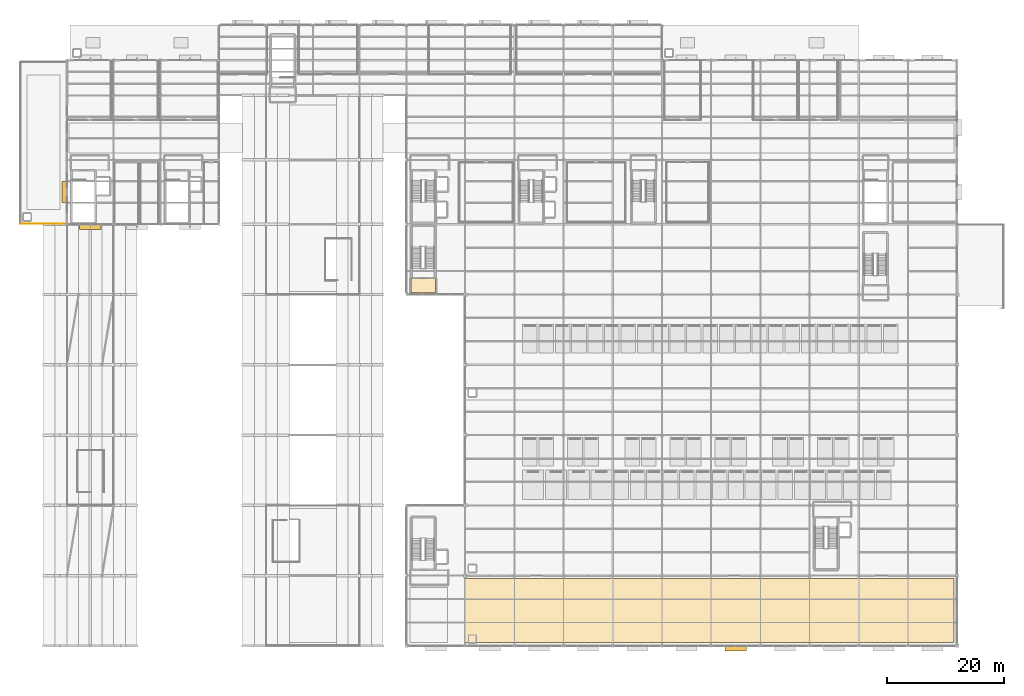
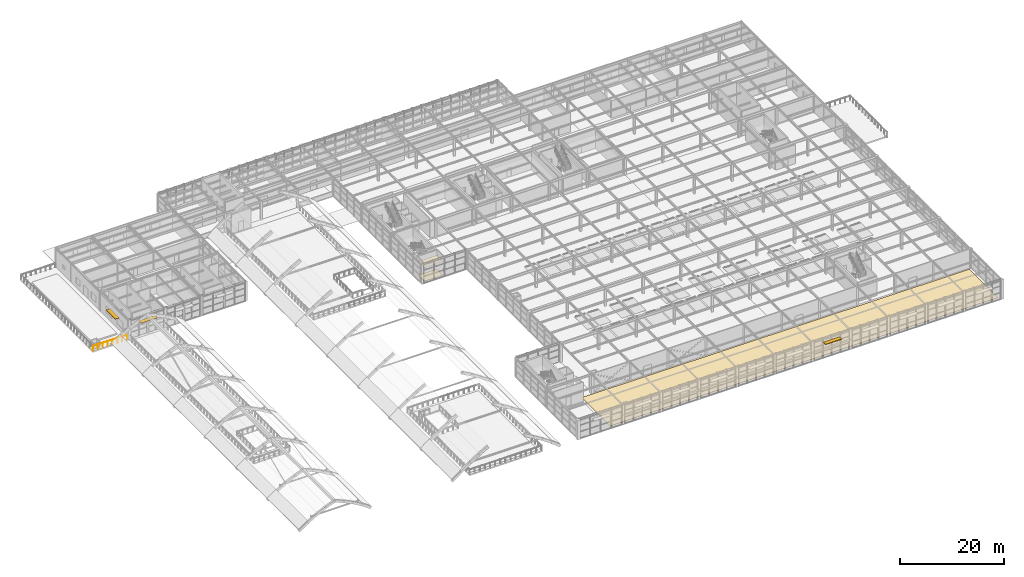
# One storey, part 74 of 82: 3 coverings, 3 shading devices, 1 railing.
"""IFC4 building model written with IfcOpenShell, lengths in metres."""

from ifc_helpers import new_model, si_unit, direction, frame, origin, origin_2d, place, context, subcontext, project, spatial, polyline, rectangle, circle, outline, extrude, material, layer, layer_set, type_object, element, save


model = new_model("IFC4")

# Units and contexts
model_context = context("Model", 3, precision=1e-05, world=origin(), true_north=direction((0.0, 1.0)))
body_context = subcontext(model_context, "Body", "Model", "MODEL_VIEW")
ifc_project = project(units=[si_unit("LENGTHUNIT", "METRE"), si_unit("AREAUNIT", "SQUARE_METRE"), si_unit("VOLUMEUNIT", "CUBIC_METRE"), si_unit("PLANEANGLEUNIT", "RADIAN"), si_unit("MASSUNIT", "GRAM", prefix="KILO")], contexts=[model_context])

# Site, building, storey
site_placement = place(None, origin())
site = spatial("IfcSite", under=ifc_project, at=site_placement, CompositionType="ELEMENT")
building_placement = place(site_placement, origin())
building = spatial("IfcBuilding", under=site, at=building_placement, Name="Sitalva Quay Ferry Terminal", CompositionType="ELEMENT")
storey_placement = place(building_placement, frame((0.0, 0.0, 5.39990234375)))
storey = spatial("IfcBuildingStorey", under=building, at=storey_placement, Name="L02", CompositionType="ELEMENT", Elevation=5.39990234375)

# Coverings
ifc_material_1 = material(Name="Moisture-Resistant Acoustic Gypsum Ceiling", Category="gypsum")
ifc_layer_1 = layer(ifc_material_1, 0.02490234375)
ifc_layer_set_1 = layer_set([ifc_layer_1], Name="Moisture-Resistant Acoustic Gypsum Ceiling")
covering_type_1 = type_object("IfcCoveringType", Name="Ceiling_GypsumMoisture_25", PredefinedType="CEILING", material=ifc_layer_set_1)
covering_1_placement = place(storey_placement, frame((0.0, 0.0, 3.22509765625)))
element("IfcCovering", 1, at=covering_1_placement, inside=storey, type_object=covering_type_1, Name="Firefighting & Lift Lobby C11 ceiling", PredefinedType="CEILING", context=body_context, shape_type="SweptSolid", body=[
    extrude(outline(polyline([(74.739990234375, 66.2900390625), (78.9599609375, 66.2900390625), (78.9599609375, 68.760009765625), (74.739990234375, 68.760009765625), (74.739990234375, 66.2900390625)])), origin(), (0.0, 0.0, 1.0), 0.02490234375),
])
ifc_material_2 = material(Name="Flamed Non-Slip Granite Paving", Category="masonry")
ifc_layer_2 = layer(ifc_material_2, 0.034912109375)
ifc_layer_set_2 = layer_set([ifc_layer_2], Name="Flamed Non-Slip Granite Paving")
covering_type_2 = type_object("IfcCoveringType", Name="Finish_Granite_35", PredefinedType="FLOORING", material=ifc_layer_set_2)
covering_2_placement = place(storey_placement, origin())
element("IfcCovering", 2, at=covering_2_placement, inside=storey, type_object=covering_type_2, Name="Firefighting & Lift Lobby C11 floor finish", PredefinedType="FLOORING", context=body_context, shape_type="SweptSolid", body=[
    extrude(outline(polyline([(74.7900390625, 66.340087890625), (78.909912109375, 66.340087890625), (78.909912109375, 68.7099609375), (74.7900390625, 68.7099609375), (74.7900390625, 66.340087890625)])), origin(), (0.0, 0.0, 1.0), 0.03515625),
])
covering_3_placement = place(storey_placement, origin())
element("IfcCovering", 3, at=covering_3_placement, inside=storey, type_object=covering_type_2, Name="Upper South-East Boarding Concourse flooring", PredefinedType="FLOORING", context=body_context, shape_type="SweptSolid", body=[
    extrude(outline(polyline([(81.5, 6.550048828125), (167.449951171875, 6.550048828125), (167.449951171875, 17.550048828125), (81.5, 17.550048828125), (81.5, 6.550048828125)])), origin(), (0.0, 0.0, 1.0), 0.03515625),
])

# Railing
ifc_material_3 = material(Name="Stainless Steel 316L & Laminated Glass", Category="steel")
railing_type = type_object("IfcRailingType", Name="Railing_Balustrade_1120", PredefinedType="BALUSTRADE", material=ifc_material_3)
railing_placement = place(storey_placement, frame((15.64990234375, 78.10009765625, 0.0)))
element("IfcRailing", 4, at=railing_placement, inside=storey, type_object=railing_type, Name="L02 L02 west terrace balustrade 029", PredefinedType="BALUSTRADE", context=body_context, shape_type="SweptSolid", body=[
    extrude(circle(Radius=0.02392578125, at=origin_2d()), frame((0.0, 0.0, 1.09619140625), z_axis=(-1.0, 0.0, 0.0), x_axis=(0.0, -1.0, 0.0)), (0.0, 0.0, 1.0), 7.5498046875),
    extrude(circle(Radius=0.02099609375, at=origin_2d()), origin(), (0.0, 0.0, 1.0), 1.072021484375),
    extrude(circle(Radius=0.02099609375, at=origin_2d()), frame((-1.07861328125, 0.0, 0.0)), (0.0, 0.0, 1.0), 1.072021484375),
    extrude(circle(Radius=0.02099609375, at=origin_2d()), frame((-2.156982421875, 0.0, 0.0)), (0.0, 0.0, 1.0), 1.072021484375),
    extrude(circle(Radius=0.02099609375, at=origin_2d()), frame((-3.235595703125, 0.0, 0.0)), (0.0, 0.0, 1.0), 1.072021484375),
    extrude(circle(Radius=0.02099609375, at=origin_2d()), frame((-4.314208984375, 0.0, 0.0)), (0.0, 0.0, 1.0), 1.072021484375),
    extrude(circle(Radius=0.02099609375, at=origin_2d()), frame((-5.392822265625, 0.0, 0.0)), (0.0, 0.0, 1.0), 1.072021484375),
    extrude(circle(Radius=0.02099609375, at=origin_2d()), frame((-6.47119140625, 0.0, 0.0)), (0.0, 0.0, 1.0), 1.072021484375),
    extrude(circle(Radius=0.02099609375, at=origin_2d()), frame((-7.5498046875, 0.0, 0.0)), (0.0, 0.0, 1.0), 1.072021484375),
])

# Shading devices
ifc_material_4 = material(Name="Anodised Marine Aluminium 6063-T6", Category="aluminium")
shading_device_type = type_object("IfcShadingDeviceType", Name="Shade_HorizontalLouvre_900", PredefinedType="USERDEFINED", material=ifc_material_4)
shading_device_1_placement = place(storey_placement, frame((130.199951171875, 5.580078125, 3.507568359375), z_axis=(0.0, 0.0, 1.0), x_axis=(1.0, 0.0, 0.0)))
element("IfcShadingDevice", 5, at=shading_device_1_placement, inside=storey, type_object=shading_device_type, Name="Monsoon sunshade canopy BS-014", ObjectType="SUNSHADE", PredefinedType="USERDEFINED", context=body_context, shape_type="SweptSolid", body=[
    extrude(rectangle(XDim=3.60009765625, YDim=0.89990234375, at=origin_2d()), origin(), (0.0, 0.0, 1.0), 0.0849609375),
])
shading_device_2_placement = place(storey_placement, frame((15.580078125, 83.5, 2.65771484375), z_axis=(0.0, 0.0, 1.0), x_axis=(1.0, 0.0, 0.0)))
element("IfcShadingDevice", 6, at=shading_device_2_placement, inside=storey, type_object=shading_device_type, Name="Monsoon sunshade canopy BS-040", ObjectType="SUNSHADE", PredefinedType="USERDEFINED", context=body_context, shape_type="SweptSolid", body=[
    extrude(rectangle(XDim=0.89990234375, YDim=3.60009765625, at=origin_2d()), origin(), (0.0, 0.0, 1.0), 0.0849609375),
])
shading_device_3_placement = place(storey_placement, frame((20.0, 77.580078125, 3.40771484375), z_axis=(0.0, 0.0, 1.0), x_axis=(1.0, 0.0, 0.0)))
element("IfcShadingDevice", 7, at=shading_device_3_placement, inside=storey, type_object=shading_device_type, Name="Monsoon sunshade canopy BS-041", ObjectType="SUNSHADE", PredefinedType="USERDEFINED", context=body_context, shape_type="SweptSolid", body=[
    extrude(rectangle(XDim=3.60009765625, YDim=0.89990234375, at=origin_2d()), origin(), (0.0, 0.0, 1.0), 0.0849609375),
])

save(model, "model.ifc")
